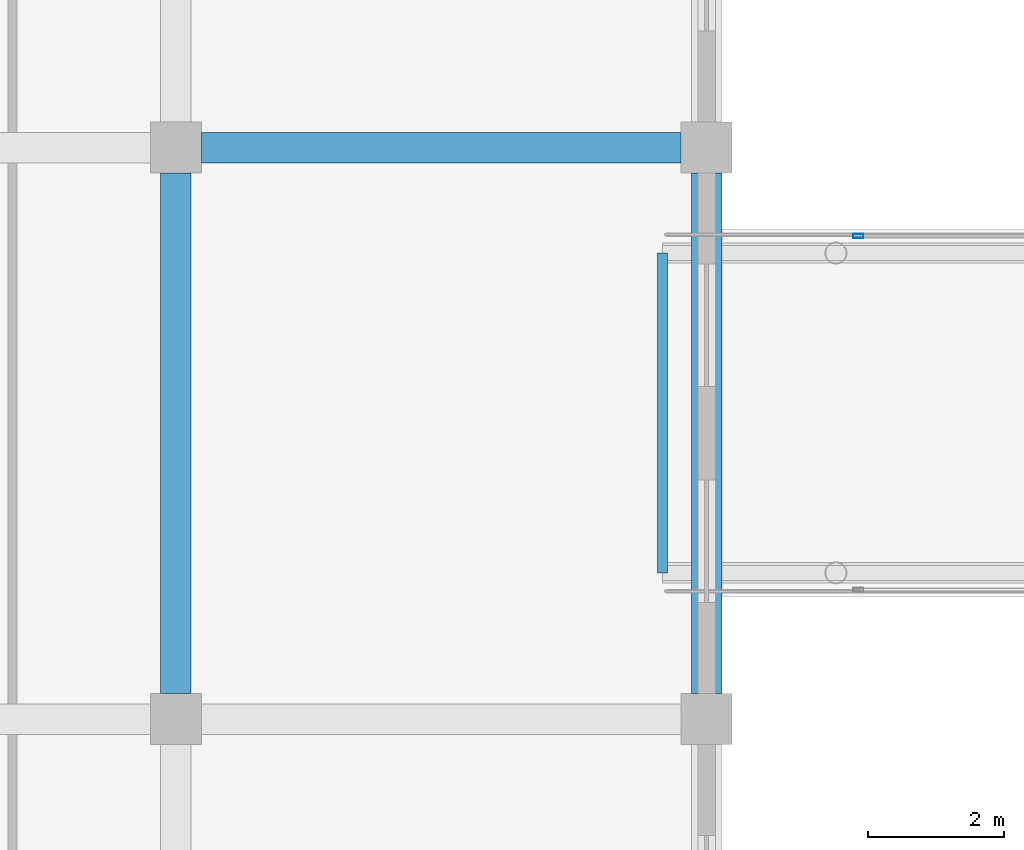
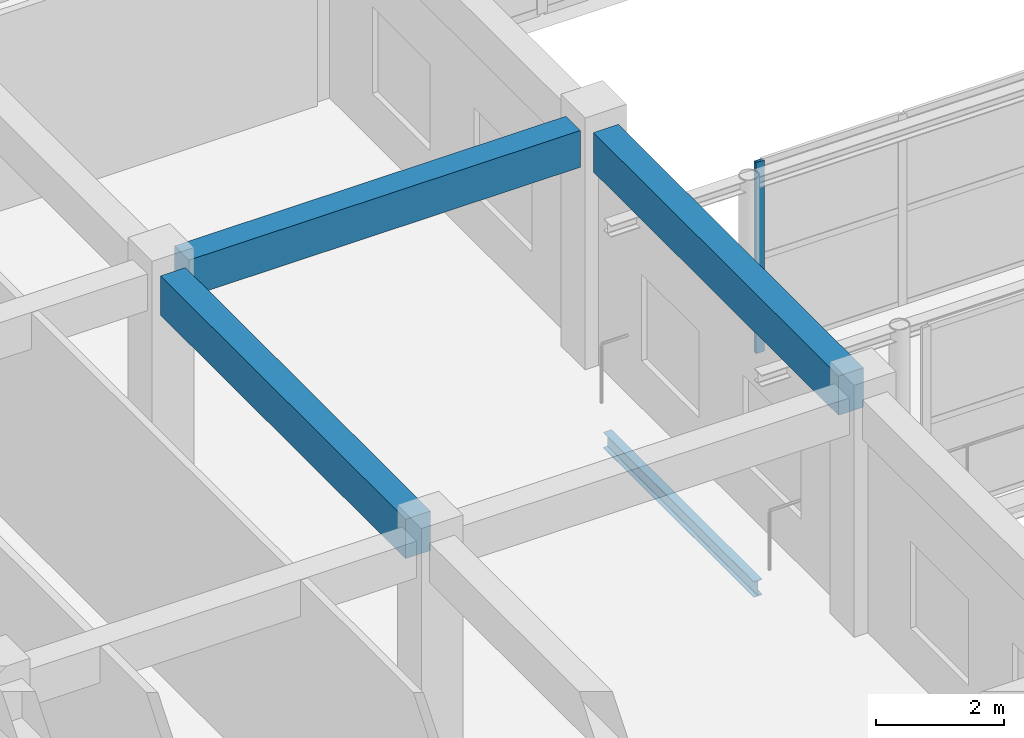
# One storey, part 61 of 167: 4 beams, 1 member, 1 element without a shape of its own.
"""IFC4 building model written with IfcOpenShell, lengths in metres."""

from ifc_helpers import new_model, si_unit, direction, frame, origin, origin_2d, place, context, subcontext, project, spatial, rectangle, hollow_rectangle, i_section, extrude, material, layer, layer_set, material_profile, profile_set, type_object, element, aggregate, save


model = new_model("IFC4")

# Units and contexts
model_context = context("Model", 3, precision=1e-05, world=origin(), true_north=direction((0.0, 1.0)))
body_context = subcontext(model_context, "Body", "Model", "MODEL_VIEW")
ifc_project = project(units=[si_unit("LENGTHUNIT", "METRE"), si_unit("AREAUNIT", "SQUARE_METRE"), si_unit("VOLUMEUNIT", "CUBIC_METRE"), si_unit("PLANEANGLEUNIT", "RADIAN"), si_unit("MASSUNIT", "GRAM", prefix="KILO")], contexts=[model_context])

# Site, building, storey
site_placement = place(None, origin())
site = spatial("IfcSite", under=ifc_project, at=site_placement, CompositionType="ELEMENT")
building_placement = place(site_placement, origin())
building = spatial("IfcBuilding", under=site, at=building_placement, Name="Zizhar Promenade General Hospital", CompositionType="ELEMENT")
storey_placement = place(building_placement, frame((0.0, 0.0, 9.60009765625)))
storey = spatial("IfcBuildingStorey", under=building, at=storey_placement, Name="L02", CompositionType="ELEMENT", Elevation=9.60009765625)

# Beams
ifc_material_1 = material(Name="Concrete C35/45", Category="concrete")
ifc_material_profile_1 = material_profile(ifc_material_1, rectangle(XDim=0.449951171875, YDim=0.699951171875, at=origin_2d()))
ifc_profile_set_1 = profile_set([ifc_material_profile_1], Name="Concrete C35/45")
beam_type_1 = type_object("IfcBeamType", Name="BM-RC-450x700", PredefinedType="BEAM", material=ifc_profile_set_1)
beam_1_placement = place(storey_placement, frame((62.77490234375, 84.0, 4.119873046875), z_axis=(1.0, 0.0, 0.0), x_axis=(0.0, 1.0, 0.0)))
element("IfcBeam", 1, at=beam_1_placement, inside=storey, type_object=beam_type_1, Name="Grid Beam X L02 (8-10)", PredefinedType="BEAM", context=body_context, shape_type="SweptSolid", body=[
    extrude(rectangle(XDim=0.449951171875, YDim=0.699951171875, at=origin_2d()), origin(), (0.0, 0.0, 1.0), 7.050048828125),
])
ifc_material_2 = material(Name="Concrete C35/45", Category="concrete")
ifc_material_profile_2 = material_profile(ifc_material_2, rectangle(XDim=0.449951171875, YDim=0.75, at=origin_2d()))
ifc_profile_set_2 = profile_set([ifc_material_profile_2], Name="Concrete C35/45")
beam_type_2 = type_object("IfcBeamType", Name="BM-RC-450x750", PredefinedType="BEAM", material=ifc_profile_set_2)
for number, where, z_axis, x_axis, name in (
    (2, (62.39990234375, 75.97509765625, 4.094970703125), (0.0, 1.0, 0.0), (-1.0, 0.0, 0.0), "Grid Beam Y L02 (8-9)"),
    (3, (70.199951171875, 75.97509765625, 4.094970703125), (0.0, 1.0, 0.0), (-1.0, 0.0, 0.0), "Grid Beam Y L02 (9-9)"),
):
    element("IfcBeam", number, at=place(storey_placement, frame(where, z_axis=z_axis, x_axis=x_axis)), inside=storey, type_object=beam_type_2, Name=name, PredefinedType="BEAM", context=body_context, shape_type="SweptSolid", body=[
        extrude(rectangle(XDim=0.449951171875, YDim=0.75, at=origin_2d()), origin(), (0.0, 0.0, 1.0), 7.64990234375),
    ])
ifc_material_3 = material(Name="Steel S355", Category="steel")
ifc_material_profile_3 = material_profile(ifc_material_3, i_section(OverallWidth=0.14990234375, OverallDepth=0.300048828125, WebThickness=0.007080078125, FlangeThickness=0.0107421875, FilletRadius=0.014892578125, at=origin_2d()))
ifc_profile_set_3 = profile_set([ifc_material_profile_3], Name="Steel S355")
beam_type_3 = type_object("IfcBeamType", Name="BM-STL-IPE300", PredefinedType="JOIST", material=ifc_profile_set_3)
beam_2_placement = place(storey_placement, frame((69.550048828125, 77.75, -0.5), z_axis=(0.0, 1.0, 0.0), x_axis=(-1.0, 0.0, 0.0)))
element("IfcBeam", 4, at=beam_2_placement, inside=storey, type_object=beam_type_3, Name="SB-2 Transverse Deck Beam 69.5", PredefinedType="JOIST", context=body_context, shape_type="SweptSolid", body=[
    extrude(i_section(OverallWidth=0.14990234375, OverallDepth=0.300048828125, WebThickness=0.007080078125, FlangeThickness=0.0107421875, FilletRadius=0.014892578125, at=origin_2d()), origin(), (0.0, 0.0, 1.0), 4.699951171875),
])

# Curtain wall, member
ifc_material_4 = material(Name="Anodised aluminium 6063-T6 and low-E glass", Category="aluminium")
ifc_layer = layer(ifc_material_4, 0.159912109375)
ifc_layer_set = layer_set([ifc_layer], Name="Anodised aluminium 6063-T6 and low-E glass")
curtain_wall_type = type_object("IfcCurtainWallType", Name="CW-SKY-GLZ", PredefinedType="NOTDEFINED", material=ifc_layer_set)
curtain_wall_placement = place(storey_placement, origin())
curtain_wall = element("IfcCurtainWall", 5, at=curtain_wall_placement, inside=storey, type_object=curtain_wall_type, Name="Courtyard Surgical-Clinic Skybridge Level L02 North Glazing 1", PredefinedType="NOTDEFINED")
ifc_material_5 = material(Name="Anodised aluminium 6063-T6", Category="aluminium")
ifc_material_profile_4 = material_profile(ifc_material_5, hollow_rectangle(XDim=0.06005859375, YDim=0.14990234375, WallThickness=0.00390625, at=origin_2d()))
ifc_profile_set_4 = profile_set([ifc_material_profile_4], Name="Anodised aluminium 6063-T6")
member_type = type_object("IfcMemberType", Name="CWM-ALU-150x60", PredefinedType="MULLION", material=ifc_profile_set_4)
member_placement = place(storey_placement, frame((72.429931640625, 82.699951171875, 0.0), z_axis=(0.0, 0.0, 1.0), x_axis=(0.0, 1.0, 0.0)))
member = element("IfcMember", 6, at=member_placement, type_object=member_type, Name="CW-15 mullion 1", PredefinedType="MULLION", context=body_context, shape_type="SweptSolid", body=[
    extrude(hollow_rectangle(XDim=0.06005859375, YDim=0.14990234375, WallThickness=0.00390625, at=origin_2d()), origin(), (0.0, 0.0, 1.0), 3.639892578125),
])
aggregate(curtain_wall, [member])

save(model, "model.ifc")
